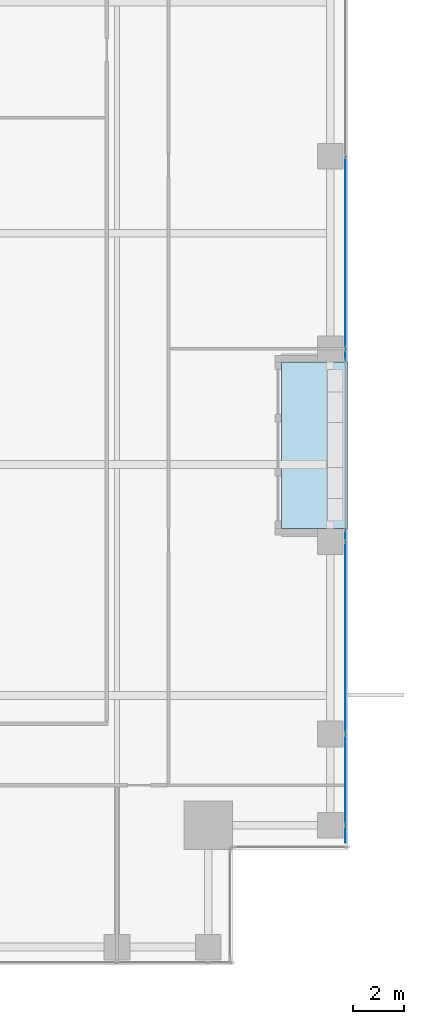
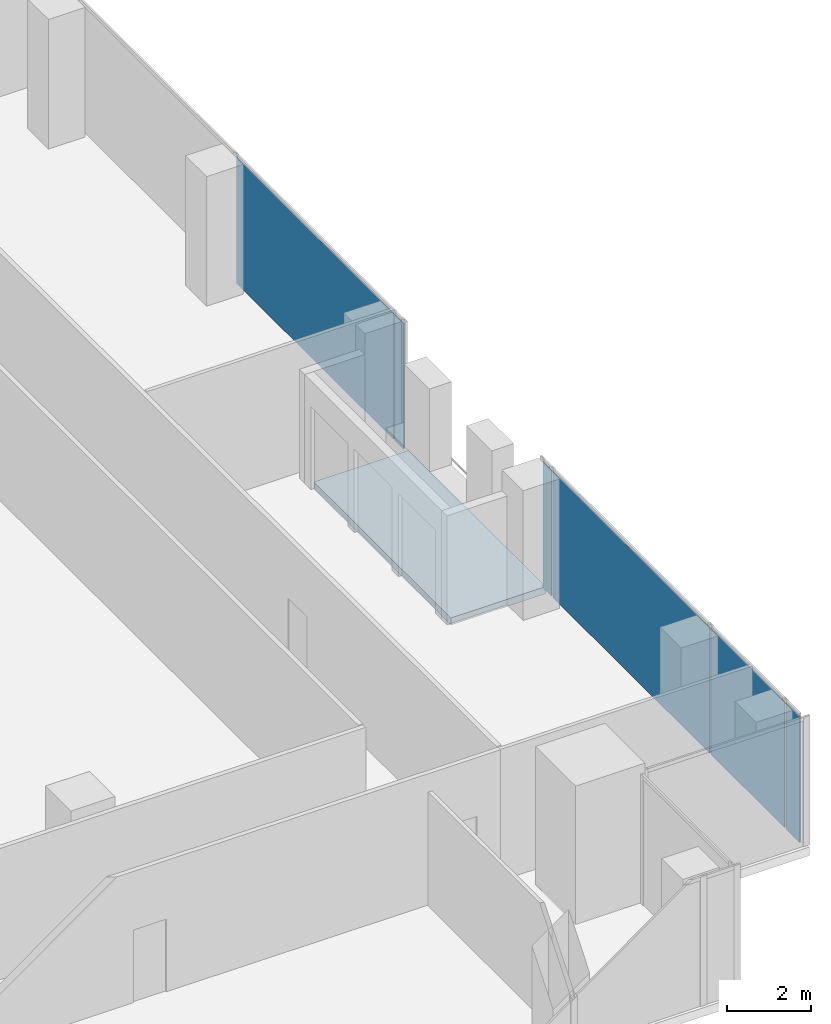
# One storey, part 31 of 40: 6 plates, 1 slab, 2 elements without a shape of their own.
"""IFC4 building model written with IfcOpenShell, lengths in metres."""

import ifcopenshell
import ifcopenshell.guid

model = None  # the IFC model being written
_history = None  # IfcOwnerHistory: only IFC2X3 demands one
_inside = {}  # id of a spatial element -> (the spatial element, [elements in it])
_under = {}  # id of a project, library or spatial element -> (it, [spatial elements below it])
_declared = {}  # id of a project -> (the project, [libraries it declares])
_typed = {}  # id of a type object -> (the type object, [elements of that type])
_made_of = {}  # id of a material, layer set ... -> (it, [elements and type objects made of it])


def new_model(schema):
    """Start an empty IFC model of exactly this schema.

    Asked for "IFC4X3", IfcOpenShell would pick the latest addendum, in which some entities
    have other attributes; the version numbers below select the first issue.
    IFC2X3 requires an IfcOwnerHistory on every rooted entity: one is made here for all.
    """
    global model, _history
    if schema == "IFC4X3":
        model = ifcopenshell.file(schema_version=(4, 3, 0, 0))
    else:
        model = ifcopenshell.file(schema=schema)
    _inside.clear()
    _under.clear()
    _declared.clear()
    _typed.clear()
    _made_of.clear()
    _history = None
    if model.schema == "IFC2X3":
        org = make("IfcOrganization", Name="unknown")
        user = make(
            "IfcPersonAndOrganization",
            ThePerson=make("IfcPerson", FamilyName="unknown"),
            TheOrganization=org,
        )
        app = make(
            "IfcApplication",
            ApplicationDeveloper=org,
            Version="unknown",
            ApplicationFullName="unknown",
            ApplicationIdentifier="unknown",
        )
        _history = make(
            "IfcOwnerHistory",
            OwningUser=user,
            OwningApplication=app,
            ChangeAction="ADDED",
            CreationDate=0,
        )
    return model


def make(cls, **values):
    """One entity of the class cls with the attributes given. An attribute that is None is left unset."""
    return model.create_entity(
        cls, **{name: value for name, value in values.items() if value is not None}
    )


def rooted(cls, **values):
    """An entity with a GlobalId (a new one), such as an element, a storey or a relation."""
    return make(cls, GlobalId=ifcopenshell.guid.new(), OwnerHistory=_history, **values)


def si_unit(unit_type, name, prefix=None):
    """IfcSIUnit, for example si_unit("LENGTHUNIT", "METRE", prefix="MILLI")."""
    return make("IfcSIUnit", UnitType=unit_type, Prefix=prefix, Name=name)


def assignment(units):
    """IfcUnitAssignment: the units of a project."""
    return None if units is None else make("IfcUnitAssignment", Units=units)


def point(xyz):
    """IfcCartesianPoint."""
    return None if xyz is None else make("IfcCartesianPoint", Coordinates=xyz)


def direction(xyz):
    """IfcDirection."""
    return None if xyz is None else make("IfcDirection", DirectionRatios=xyz)


def frame(location, z_axis=None, x_axis=None):
    """IfcAxis2Placement3D, a coordinate frame: its origin and axes. An axis left out is left unset."""
    return make(
        "IfcAxis2Placement3D",
        Location=point(location),
        Axis=direction(z_axis),
        RefDirection=direction(x_axis),
    )


def frame_2d(location, x_axis=None):
    """IfcAxis2Placement2D, a coordinate frame in the plane: its origin and x axis."""
    return make(
        "IfcAxis2Placement2D", Location=point(location), RefDirection=direction(x_axis)
    )


def origin():
    """The frame at (0, 0, 0) with its axes left unset."""
    return frame((0.0, 0.0, 0.0))


def origin_2d():
    """The frame at (0, 0) in the plane with its x axis left unset."""
    return frame_2d((0.0, 0.0))


def place(relative_to, where):
    """IfcLocalPlacement: puts the frame where relative to a parent placement (None: the world)."""
    return make(
        "IfcLocalPlacement", PlacementRelTo=relative_to, RelativePlacement=where
    )


def context(
    kind, dimensions, precision=None, world=None, true_north=None, identifier=None
):
    """IfcGeometricRepresentationContext, for example the 3D "Model" context."""
    return make(
        "IfcGeometricRepresentationContext",
        ContextIdentifier=identifier,
        ContextType=kind,
        CoordinateSpaceDimension=dimensions,
        Precision=precision,
        WorldCoordinateSystem=world,
        TrueNorth=true_north,
    )


def subcontext(parent, identifier, kind, view, scale=None):
    """IfcGeometricRepresentationSubContext, for example "Body" below "Model"."""
    return make(
        "IfcGeometricRepresentationSubContext",
        ContextIdentifier=identifier,
        ContextType=kind,
        ParentContext=parent,
        TargetScale=scale,
        TargetView=view,
    )


def project(units=None, contexts=None):
    """IfcProject with its units and contexts."""
    return rooted(
        "IfcProject",
        Name="project",
        RepresentationContexts=contexts,
        UnitsInContext=assignment(units),
    )


def spatial(cls, under=None, at=None, **own):
    """A site, building, storey or space (cls), placed at a placement, below another one or the project."""
    s = rooted(cls, ObjectPlacement=at, **own)
    if under is not None:
        _under.setdefault(under.id(), (under, []))[1].append(s)
    return s


def polyline(points):
    """IfcPolyline through the points."""
    return make("IfcPolyline", Points=[point(p) for p in points])


def profile(cls, at=None, kind="AREA", **sizes):
    """A parametric profile (cls). Its sizes go by their IFC names, for example OverallWidth=200.0."""
    return make(cls, ProfileType=kind, Position=at, **sizes)


def rectangle(**sizes):
    """IfcRectangleProfileDef."""
    return profile("IfcRectangleProfileDef", **sizes)


def outline(outer, holes=None, kind="AREA"):
    """IfcArbitraryClosedProfileDef: a profile drawn as a closed curve; with holes, ...WithVoids."""
    if holes is None:
        return make("IfcArbitraryClosedProfileDef", ProfileType=kind, OuterCurve=outer)
    return make(
        "IfcArbitraryProfileDefWithVoids",
        ProfileType=kind,
        OuterCurve=outer,
        InnerCurves=holes,
    )


def extrude(swept, where, along, depth):
    """IfcExtrudedAreaSolid: the profile swept, set in the frame where, extruded along a direction by depth."""
    return make(
        "IfcExtrudedAreaSolid",
        SweptArea=swept,
        Position=where,
        ExtrudedDirection=direction(along),
        Depth=depth,
    )


def shape(context_of_items, identifier, shape_type, items):
    """IfcShapeRepresentation: the items that make up one representation, for example the "Body"."""
    return make(
        "IfcShapeRepresentation",
        ContextOfItems=context_of_items,
        RepresentationIdentifier=identifier,
        RepresentationType=shape_type,
        Items=items,
    )


def source(mapping_origin, context_of_items, identifier, shape_type, items):
    """IfcRepresentationMap: a shape defined once, which mapped items show again and again."""
    return make(
        "IfcRepresentationMap",
        MappingOrigin=mapping_origin,
        MappedRepresentation=shape(context_of_items, identifier, shape_type, items),
    )


def transform(
    local_origin,
    x_axis=None,
    y_axis=None,
    z_axis=None,
    scale=None,
    scale2=None,
    scale3=None,
    uniform=True,
):
    """IfcCartesianTransformationOperator3D, or its non-uniform kind. x_axis, y_axis, z_axis: its Axis1, 2, 3."""
    if uniform:
        return make(
            "IfcCartesianTransformationOperator3D",
            Axis1=direction(x_axis),
            Axis2=direction(y_axis),
            LocalOrigin=point(local_origin),
            Scale=scale,
            Axis3=direction(z_axis),
        )
    return make(
        "IfcCartesianTransformationOperator3DnonUniform",
        Axis1=direction(x_axis),
        Axis2=direction(y_axis),
        LocalOrigin=point(local_origin),
        Scale=scale,
        Axis3=direction(z_axis),
        Scale2=scale2,
        Scale3=scale3,
    )


def mapped(mapping_source, mapping_target):
    """IfcMappedItem: shows the shape of a source again, moved by a transform."""
    return make(
        "IfcMappedItem", MappingSource=mapping_source, MappingTarget=mapping_target
    )


def material(Name=None, Category=None):
    """IfcMaterial."""
    return make("IfcMaterial", Name=Name, Category=Category)


def layer(
    of_material, thickness, ventilated=None, Name=None, Category=None, Priority=None
):
    """IfcMaterialLayer: one layer of a wall or slab, of a material (None: an air gap)."""
    return make(
        "IfcMaterialLayer",
        Material=of_material,
        LayerThickness=thickness,
        IsVentilated=ventilated,
        Name=Name,
        Category=Category,
        Priority=Priority,
    )


def layer_set(layers, Name=None):
    """IfcMaterialLayerSet."""
    return make("IfcMaterialLayerSet", MaterialLayers=layers, LayerSetName=Name)


def made_of(thing, what):
    """Note that an element or type object is made of a material, layer set ...; save() writes the relation."""
    if what is not None:
        _made_of.setdefault(what.id(), (what, []))[1].append(thing)
    return thing


def type_object(cls, material=None, **own):
    """A type object (cls), such as IfcWallType, which elements share."""
    return made_of(rooted(cls, **own), material)


def element(
    cls,
    number,
    at=None,
    inside=None,
    cuts=None,
    type_object=None,
    material=None,
    context=None,
    identifier="Body",
    shape_type=None,
    held_by="IfcProductDefinitionShape",
    body=None,
    shapes=None,
    **own,
):
    """One element of the class cls, such as IfcWall. Its Tag is "e" and its number.

    at: its placement. inside: the storey or other place that contains it. cuts: it is an
    opening in that element (IfcRelVoidsElement). A single representation is given by context,
    identifier, shape_type and body (its items); several are given by shapes. held_by: the class
    of the entity that holds the representations. save() writes the other relations.
    """
    e = rooted(cls, Tag="e%d" % number, ObjectPlacement=at, **own)
    if body is not None:
        shapes = [shape(context, identifier, shape_type, body)]
    if shapes is not None:
        e.Representation = make(held_by, Representations=shapes)
    if inside is not None:
        _inside.setdefault(inside.id(), (inside, []))[1].append(e)
    if cuts is not None:
        rooted(
            "IfcRelVoidsElement", RelatingBuildingElement=cuts, RelatedOpeningElement=e
        )
    if type_object is not None:
        _typed.setdefault(type_object.id(), (type_object, []))[1].append(e)
    return made_of(e, material)


def aggregate(whole, parts):
    """IfcRelAggregates: a whole, such as a stair, and the parts it consists of."""
    return rooted("IfcRelAggregates", RelatingObject=whole, RelatedObjects=parts)


def save(model, path):
    """Write the relations noted so far, then the file.

    IfcRelAggregates (storeys below a building ...), IfcRelContainedInSpatialStructure (elements
    in a storey), IfcRelDefinesByType, IfcRelAssociatesMaterial and IfcRelDeclares: one each for
    every whole, place, type object, material and project.
    """
    for whole, parts in _under.values():
        aggregate(whole, parts)
    for where, things in _inside.values():
        rooted(
            "IfcRelContainedInSpatialStructure",
            RelatedElements=things,
            RelatingStructure=where,
        )
    for kind, things in _typed.values():
        rooted("IfcRelDefinesByType", RelatedObjects=things, RelatingType=kind)
    for what, things in _made_of.values():
        rooted("IfcRelAssociatesMaterial", RelatedObjects=things, RelatingMaterial=what)
    for by, libraries in _declared.values():
        rooted("IfcRelDeclares", RelatingContext=by, RelatedDefinitions=libraries)
    model.write(path)


model = new_model("IFC4")

# Units and contexts
model_context = context("Model", 3, precision=1e-05, world=origin(), true_north=direction((0.0, 1.0)))
body_context = subcontext(model_context, "Body", "Model", "MODEL_VIEW")
ifc_project = project(units=[si_unit("LENGTHUNIT", "METRE"), si_unit("AREAUNIT", "SQUARE_METRE"), si_unit("VOLUMEUNIT", "CUBIC_METRE"), si_unit("PLANEANGLEUNIT", "RADIAN"), si_unit("MASSUNIT", "GRAM", prefix="KILO")], contexts=[model_context])

# Site, building, storey
site_placement = place(None, origin())
site = spatial("IfcSite", under=ifc_project, at=site_placement, CompositionType="ELEMENT")
building_placement = place(site_placement, origin())
building = spatial("IfcBuilding", under=site, at=building_placement, Name="Khomas Fold Tower", CompositionType="ELEMENT")
storey_placement = place(building_placement, frame((0.0, 0.0, 204.699951171875)))
storey = spatial("IfcBuildingStorey", under=building, at=storey_placement, Name="L45", CompositionType="ELEMENT", Elevation=204.699951171875)

# Curtain wall, plates
ifc_material_1 = material(Name="Aluminium framed double glazing", Category="aluminium")
curtain_wall_type = type_object("IfcCurtainWallType", Name="SK-Unitised clear-glass wall, office floors CW2", PredefinedType="NOTDEFINED", material=ifc_material_1)
curtain_wall_1_placement = place(storey_placement, origin())
curtain_wall_1 = element("IfcCurtainWall", 1, at=curtain_wall_1_placement, inside=storey, type_object=curtain_wall_type, Name="CW2 run L45 03-0", PredefinedType="NOTDEFINED")
ifc_material_2 = material(Name="Clear double glazed unit")
ifc_layer_1 = layer(ifc_material_2, 0.030029296875)
ifc_layer_set_1 = layer_set([ifc_layer_1], Name="Clear double glazed unit")
plate_type = type_object("IfcPlateType", Name="SK-Unitised clear-glass wall, office floors glass panel CW2-P", PredefinedType="CURTAIN_PANEL", material=ifc_layer_set_1)
shared_shape_1 = source(origin(), body_context, "Body", "SweptSolid", [
    extrude(rectangle(XDim=0.659912109375, YDim=0.030029296875, at=origin_2d()), origin(), (0.0, 0.0, 1.0), 3.639892578125),
])
plate_1_placement = place(storey_placement, frame((50.89990234375, 8.090087890625, 0.0), z_axis=(0.0, 0.0, 1.0), x_axis=(0.0, 1.0, 0.0)))
plate_1 = element("IfcPlate", 2, at=plate_1_placement, type_object=plate_type, Name="CW2 glass panel 1", PredefinedType="CURTAIN_PANEL", context=body_context, shape_type="MappedRepresentation", body=[
    mapped(shared_shape_1, transform((0.0, 0.0, 0.0))),
])
shared_shape_2 = source(origin(), body_context, "Body", "SweptSolid", [
    extrude(rectangle(XDim=3.489990234375, YDim=0.030029296875, at=origin_2d()), origin(), (0.0, 0.0, 1.0), 3.639892578125),
])
plate_2_placement = place(storey_placement, frame((50.89990234375, 10.22509765625, 0.0), z_axis=(0.0, 0.0, 1.0), x_axis=(0.0, 1.0, 0.0)))
plate_2 = element("IfcPlate", 3, at=plate_2_placement, type_object=plate_type, Name="CW2 glass panel 2", PredefinedType="CURTAIN_PANEL", context=body_context, shape_type="MappedRepresentation", body=[
    mapped(shared_shape_2, transform((0.0, 0.0, 0.0))),
])
shared_shape_3 = source(origin(), body_context, "Body", "SweptSolid", [
    extrude(rectangle(XDim=7.43994140625, YDim=0.030029296875, at=origin_2d()), origin(), (0.0, 0.0, 1.0), 3.639892578125),
])
plate_3_placement = place(storey_placement, frame((50.89990234375, 15.75, 0.0), z_axis=(0.0, 0.0, 1.0), x_axis=(0.0, 1.0, 0.0)))
plate_3 = element("IfcPlate", 4, at=plate_3_placement, type_object=plate_type, Name="CW2 glass panel 3", PredefinedType="CURTAIN_PANEL", context=body_context, shape_type="MappedRepresentation", body=[
    mapped(shared_shape_3, transform((0.0, 0.0, 0.0))),
])

# Curtain wall, plate
curtain_wall_2_placement = place(storey_placement, origin())
curtain_wall_2 = element("IfcCurtainWall", 5, at=curtain_wall_2_placement, inside=storey, type_object=curtain_wall_type, Name="CW2 run L45 03-1", PredefinedType="NOTDEFINED")
plate_4_placement = place(storey_placement, frame((50.89990234375, 30.75, 0.0), z_axis=(0.0, 0.0, 1.0), x_axis=(0.0, 1.0, 0.0)))
plate_4 = element("IfcPlate", 6, at=plate_4_placement, type_object=plate_type, Name="CW2 glass panel 2", PredefinedType="CURTAIN_PANEL", context=body_context, shape_type="MappedRepresentation", body=[
    mapped(shared_shape_3, transform((0.0, 0.0, 0.0))),
])

# Plate
shared_shape_4 = source(origin(), body_context, "Body", "SweptSolid", [
    extrude(rectangle(XDim=0.409912109375, YDim=0.030029296875, at=origin_2d()), origin(), (0.0, 0.0, 1.0), 3.639892578125),
])
plate_5_placement = place(storey_placement, frame((50.89990234375, 19.735107421875, 0.0), z_axis=(0.0, 0.0, 1.0), x_axis=(0.0, 1.0, 0.0)))
plate_5 = element("IfcPlate", 7, at=plate_5_placement, type_object=plate_type, Name="CW2 glass panel 4", PredefinedType="CURTAIN_PANEL", context=body_context, shape_type="MappedRepresentation", body=[
    mapped(shared_shape_4, transform((0.0, 0.0, 0.0))),
])

aggregate(curtain_wall_1, [plate_1, plate_2, plate_3, plate_5])

plate_6_placement = place(storey_placement, frame((50.89990234375, 26.764892578125, 0.0), z_axis=(0.0, 0.0, 1.0), x_axis=(0.0, 1.0, 0.0)))
plate_6 = element("IfcPlate", 8, at=plate_6_placement, type_object=plate_type, Name="CW2 glass panel 1", PredefinedType="CURTAIN_PANEL", context=body_context, shape_type="MappedRepresentation", body=[
    mapped(shared_shape_4, transform((0.0, 0.0, 0.0))),
])

aggregate(curtain_wall_2, [plate_6, plate_4])

# Slab
ifc_material_3 = material(Name="Concrete C40/50", Category="concrete")
ifc_layer_2 = layer(ifc_material_3, 0.205078125)
ifc_layer_set_2 = layer_set([ifc_layer_2], Name="Concrete C40/50")
slab_type = type_object("IfcSlabType", Name="BL-Balcony deck 205", PredefinedType="FLOOR", material=ifc_layer_set_2)
shared_shape_5 = source(origin(), body_context, "Body", "SweptSolid", [
    extrude(outline(polyline([(48.39990234375, 20.0), (51.0, 20.0), (51.0, 26.5), (48.39990234375, 26.5), (48.39990234375, 20.0)])), origin(), (0.0, 0.0, 1.0), 0.205078125),
])
slab_placement = place(storey_placement, frame((0.0, 0.0, -0.25)))
element("IfcSlab", 9, at=slab_placement, inside=storey, type_object=slab_type, Name="Balcony deck BAL-L45-E2", PredefinedType="FLOOR", context=body_context, shape_type="MappedRepresentation", body=[
    mapped(shared_shape_5, transform((0.0, 0.0, 0.0))),
])

save(model, "model.ifc")
